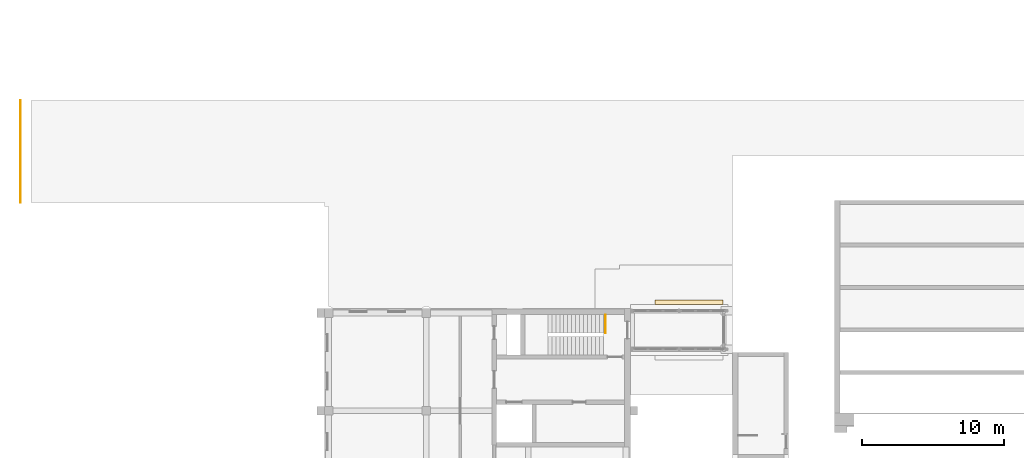
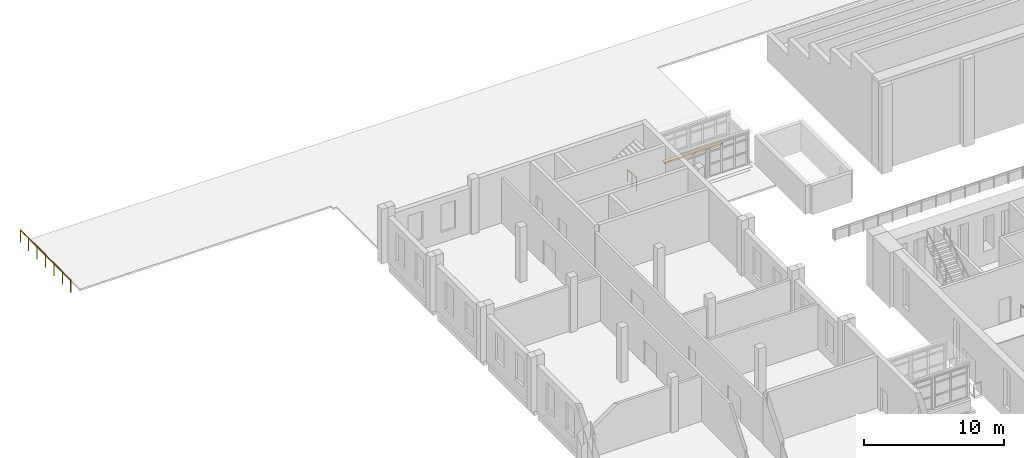
# One storey, part 127 of 131: 2 railings, 1 covering.
"""IFC4 building model written with IfcOpenShell, lengths in metres."""

from ifc_helpers import new_model, si_unit, direction, frame, origin, origin_2d, place, context, subcontext, project, spatial, polyline, circle, outline, extrude, material, layer, layer_set, type_object, element, save


model = new_model("IFC4")

# Units and contexts
model_context = context("Model", 3, precision=1e-05, world=origin(), true_north=direction((0.0, 1.0)))
body_context = subcontext(model_context, "Body", "Model", "MODEL_VIEW")
ifc_project = project(units=[si_unit("LENGTHUNIT", "METRE"), si_unit("AREAUNIT", "SQUARE_METRE"), si_unit("VOLUMEUNIT", "CUBIC_METRE"), si_unit("PLANEANGLEUNIT", "RADIAN"), si_unit("MASSUNIT", "GRAM", prefix="KILO")], contexts=[model_context])

# Site, building, storey
site_placement = place(None, origin())
site = spatial("IfcSite", under=ifc_project, at=site_placement, CompositionType="ELEMENT")
building_placement = place(site_placement, origin())
building = spatial("IfcBuilding", under=site, at=building_placement, Name="Alderwick Market Hall", CompositionType="ELEMENT")
storey_placement = place(building_placement, frame((0.0, 0.0, 4.800048828125)))
storey = spatial("IfcBuildingStorey", under=building, at=storey_placement, Name="L00", CompositionType="ELEMENT", Elevation=4.800048828125)

# Railing
ifc_material_1 = material(Name="Steel ASTM A500 Grade C", Category="steel")
railing_type_1 = type_object("IfcRailingType", Name="B Stair Guard 1100", PredefinedType="GUARDRAIL", material=ifc_material_1)
railing_1_placement = place(storey_placement, frame((41.449951171875, 129.14990234375, 0.0)))
element("IfcRailing", 1, at=railing_1_placement, inside=storey, type_object=railing_type_1, Name="Stair well guard", PredefinedType="GUARDRAIL", context=body_context, shape_type="SweptSolid", body=[
    extrude(circle(Radius=0.02392578125, at=origin_2d()), frame((0.0, 0.0, 1.076171875), z_axis=(0.0, -1.0, 0.0), x_axis=(1.0, 0.0, 0.0)), (0.0, 0.0, 1.0), 1.27001953125),
    extrude(circle(Radius=0.02099609375, at=origin_2d()), origin(), (0.0, 0.0, 1.0), 1.052001953125),
    extrude(circle(Radius=0.02099609375, at=origin_2d()), frame((0.0, -0.635009765625, 0.0)), (0.0, 0.0, 1.0), 1.052001953125),
    extrude(circle(Radius=0.02099609375, at=origin_2d()), frame((0.0, -1.27001953125, 0.0)), (0.0, 0.0, 1.0), 1.052001953125),
])

# Covering
ifc_material_2 = material(Name="Granite setts on concrete bed", Category="masonry")
ifc_layer = layer(ifc_material_2, 0.14990234375)
ifc_layer_set = layer_set([ifc_layer], Name="Granite setts on concrete bed")
covering_type = type_object("IfcCoveringType", Name="S Forecourt Paving 150", PredefinedType="USERDEFINED", material=ifc_layer_set)
covering_placement = place(storey_placement, frame((0.0, 0.0, -0.150146484375)))
element("IfcCovering", 2, at=covering_placement, inside=storey, type_object=covering_type, Name="Forecourt 23", ObjectType="PAVING", PredefinedType="USERDEFINED", context=body_context, shape_type="SweptSolid", body=[
    extrude(outline(polyline([(44.929931640625, 130.199951171875), (44.929931640625, 129.89990234375), (49.72998046875, 129.89990234375), (49.72998046875, 130.199951171875), (44.929931640625, 130.199951171875)])), origin(), (0.0, 0.0, 1.0), 0.150146484375),
])

# Railing
railing_type_2 = type_object("IfcRailingType", Name="S Guard 1100", PredefinedType="GUARDRAIL", material=ifc_material_1)
railing_2_placement = place(storey_placement, frame((0.14990234375, 137.10009765625, 0.0)))
element("IfcRailing", 3, at=railing_2_placement, inside=storey, type_object=railing_type_2, Name="Guard W07a", PredefinedType="GUARDRAIL", context=body_context, shape_type="SweptSolid", body=[
    extrude(circle(Radius=0.02490234375, at=origin_2d()), frame((0.0, 0.0, 1.0751953125), z_axis=(0.0, 1.0, 0.0), x_axis=(-1.0, 0.0, 0.0)), (0.0, 0.0, 1.0), 7.199951171875),
    extrude(circle(Radius=0.02001953125, at=origin_2d()), origin(), (0.0, 0.0, 1.0), 1.050048828125),
    extrude(circle(Radius=0.02001953125, at=origin_2d()), frame((0.0, 1.199951171875, 0.0)), (0.0, 0.0, 1.0), 1.050048828125),
    extrude(circle(Radius=0.02001953125, at=origin_2d()), frame((0.0, 2.39990234375, 0.0)), (0.0, 0.0, 1.0), 1.050048828125),
    extrude(circle(Radius=0.02001953125, at=origin_2d()), frame((0.0, 3.60009765625, 0.0)), (0.0, 0.0, 1.0), 1.050048828125),
    extrude(circle(Radius=0.02001953125, at=origin_2d()), frame((0.0, 4.800048828125, 0.0)), (0.0, 0.0, 1.0), 1.050048828125),
    extrude(circle(Radius=0.02001953125, at=origin_2d()), frame((0.0, 6.0, 0.0)), (0.0, 0.0, 1.0), 1.050048828125),
    extrude(circle(Radius=0.02001953125, at=origin_2d()), frame((0.0, 7.199951171875, 0.0)), (0.0, 0.0, 1.0), 1.050048828125),
])

save(model, "model.ifc")
